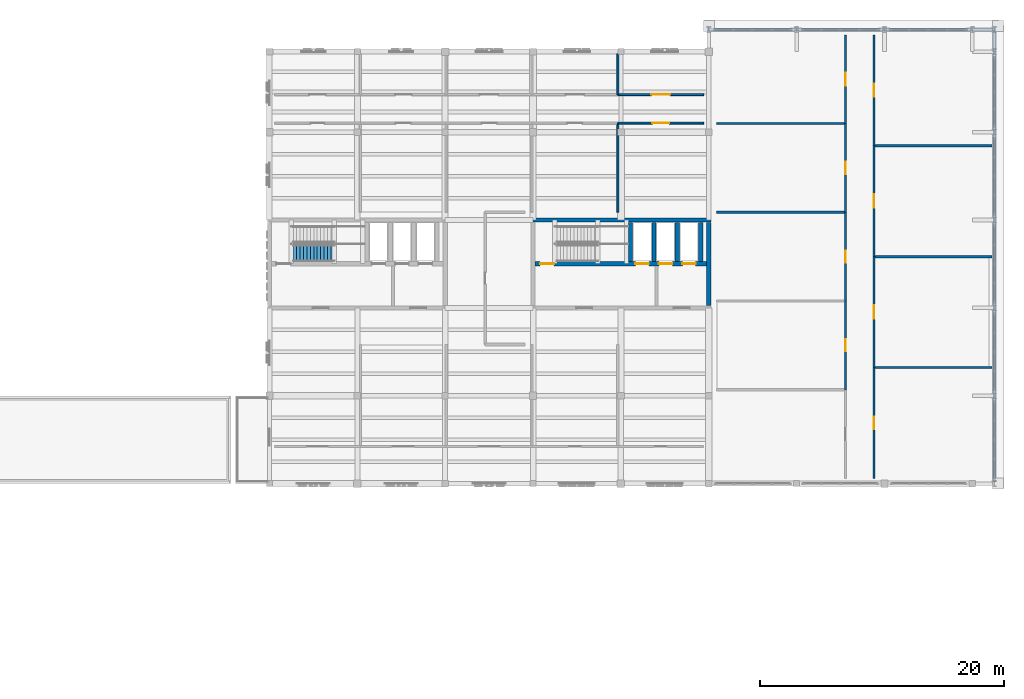
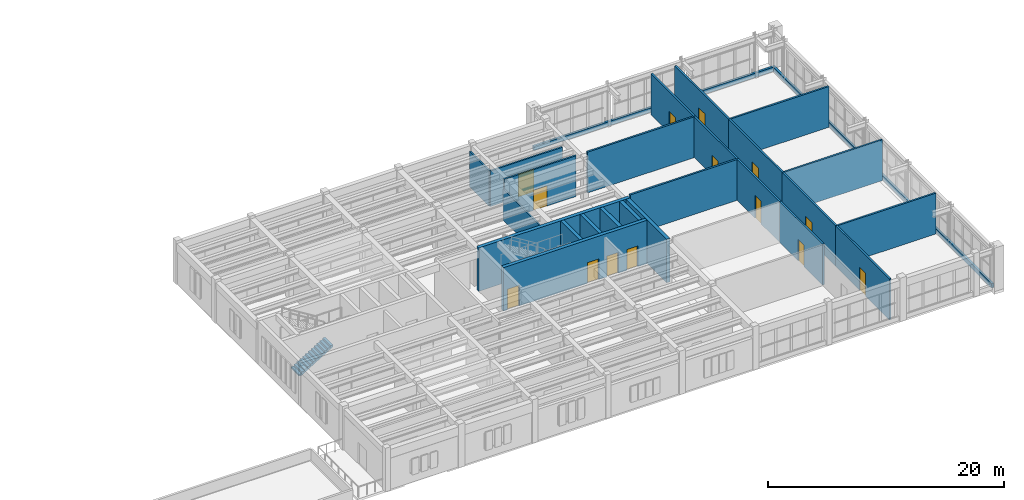
# One storey, part 14 of 18: 26 walls, 14 doors, 1 stair flight, 14 openings, 1 element without a shape of its own.
"""IFC4 building model written with IfcOpenShell, lengths in metres."""

from ifc_helpers import new_model, si_unit, direction, frame, frame_2d, origin, place, context, subcontext, project, spatial, polyline, rectangle, outline, extrude, material, layer, layer_set, type_object, element, fill, aggregate, save


model = new_model("IFC4")

# Units and contexts
model_context = context("Model", 3, precision=1e-05, world=origin(), true_north=direction((0.0, 1.0)))
body_context = subcontext(model_context, "Body", "Model", "MODEL_VIEW")
ifc_project = project(units=[si_unit("LENGTHUNIT", "METRE"), si_unit("AREAUNIT", "SQUARE_METRE"), si_unit("VOLUMEUNIT", "CUBIC_METRE"), si_unit("PLANEANGLEUNIT", "RADIAN"), si_unit("MASSUNIT", "GRAM", prefix="KILO")], contexts=[model_context])

# Site, building, storey
site_placement = place(None, origin())
site = spatial("IfcSite", under=ifc_project, at=site_placement, CompositionType="ELEMENT")
building_placement = place(site_placement, origin())
building = spatial("IfcBuilding", under=site, at=building_placement, Name="Mithqara Police Headquarters", CompositionType="ELEMENT")
storey_placement = place(building_placement, frame((0.0, 0.0, 26.39990234375)))
storey = spatial("IfcBuildingStorey", under=building, at=storey_placement, Name="L06", CompositionType="ELEMENT", Elevation=26.39990234375)

# Walls
ifc_material_1 = material(Name="Limestone ashlar masonry, 45 MPa", Category="masonry")
ifc_layer_1 = layer(ifc_material_1, 0.219970703125, Name="Limestone ashlar masonry, 45 MPa")
ifc_layer_set_1 = layer_set([ifc_layer_1], Name="Limestone ashlar masonry, 45 MPa")
wall_type_1 = type_object("IfcWallType", Name="PARAPET WALL 220", PredefinedType="PARAPET", material=ifc_layer_set_1)
wall_1_placement = place(storey_placement, frame((168.0, 78.75, 0.0), z_axis=(0.0, 0.0, 1.0), x_axis=(0.0, 1.0, 0.0)))
element("IfcWall", 1, at=wall_1_placement, inside=storey, type_object=wall_type_1, Name="L06 Command Cube Sill Curb 3", PredefinedType="PARAPET", context=body_context, shape_type="SweptSolid", body=[
    extrude(rectangle(XDim=36.89990234375, YDim=0.219970703125, at=frame_2d((18.449951171875, 0.0))), origin(), (0.0, 0.0, 1.0), 0.4501953125),
])
wall_2_placement = place(storey_placement, frame((168.14990234375, 115.800048828125, 0.0), z_axis=(0.0, 0.0, 1.0), x_axis=(-1.0, 0.0, 0.0)))
element("IfcWall", 2, at=wall_2_placement, inside=storey, type_object=wall_type_1, Name="L06 Command Cube Sill Curb 4", PredefinedType="PARAPET", context=body_context, shape_type="SweptSolid", body=[
    extrude(rectangle(XDim=23.699951171875, YDim=0.219970703125, at=frame_2d((11.85009765625, 0.0))), origin(), (0.0, 0.0, 1.0), 0.4501953125),
])
ifc_material_2 = material(Name="Gypsum acoustic stud partition", Category="gypsum")
ifc_layer_2 = layer(ifc_material_2, 0.159912109375, Name="Gypsum acoustic stud partition")
ifc_layer_set_2 = layer_set([ifc_layer_2], Name="Gypsum acoustic stud partition")
wall_type_2 = type_object("IfcWallType", Name="PART WALL 160", PredefinedType="PARTITIONING", material=ifc_layer_set_2)
wall_3_placement = place(storey_placement, frame((137.14794921875, 100.85009765625, 0.0), z_axis=(0.0, 0.0, 1.0), x_axis=(0.0, 1.0, 0.0)))
element("IfcWall", 3, at=wall_3_placement, inside=storey, type_object=wall_type_2, Name="L06 Room Partition Male Staff WC", PredefinedType="PARTITIONING", context=body_context, shape_type="SweptSolid", body=[
    extrude(rectangle(XDim=7.289794921875, YDim=0.159912109375, at=frame_2d((3.64501953125, 0.0))), origin(), (0.0, 0.0, 1.0), 3.22021484375),
])

# Wall, opening, door
wall_4_placement = place(storey_placement, frame((137.14794921875, 108.139892578125, 0.0), z_axis=(0.0, 0.0, 1.0), x_axis=(1.0, 0.0, 0.0)))
wall_4 = element("IfcWall", 4, at=wall_4_placement, inside=storey, type_object=wall_type_2, Name="L06 Corridor Wall Joint Intelligence Operations Room", PredefinedType="PARTITIONING", context=body_context, shape_type="SweptSolid", body=[
    extrude(rectangle(XDim=7.031982421875, YDim=0.159912109375, at=frame_2d((3.51611328125, 0.0))), origin(), (0.0, 0.0, 1.0), 4.22021484375),
])
opening_1_placement = place(wall_4_placement, frame((2.8359375, 0.0, 0.0)))
opening_1 = element("IfcOpeningElement", 5, at=opening_1_placement, cuts=wall_4, Name="Opening D-16", PredefinedType="OPENING", context=body_context, shape_type="SweptSolid", body=[
    extrude(rectangle(XDim=1.360107421875, YDim=2.10009765625, at=frame_2d((0.68017578125, 1.050048828125))), frame((0.0, 0.08984375, 0.0), z_axis=(0.0, -1.0, 0.0), x_axis=(1.0, 0.0, 0.0)), (0.0, 0.0, 1.0), 0.179931640625),
])
ifc_material_3 = material(Name="Bronze anodised aluminium 6063-T6", Category="aluminium")
door_type_1 = type_object("IfcDoorType", Name="INT DOOR 1360X2100", OperationType="NOTDEFINED", PredefinedType="DOOR", material=ifc_material_3)
door_1_placement = place(opening_1_placement, frame((1.360107421875, 0.0, 0.0), z_axis=(0.0, 0.0, 1.0), x_axis=(-1.0, 0.0, 0.0)))
door_1 = element("IfcDoor", 6, at=door_1_placement, inside=storey, type_object=door_type_1, Name="Joint Intelligence Operations Room Entry Door", OperationType="SINGLE_SWING_LEFT", OverallHeight=2.10009765625, OverallWidth=1.360107421875, PredefinedType="DOOR", context=body_context, shape_type="SweptSolid", body=[
    extrude(rectangle(XDim=1.360107421875, YDim=2.10009765625, at=frame_2d((0.68017578125, 1.050048828125))), frame((0.0, 0.02490234375, 0.0), z_axis=(0.0, -1.0, 0.0), x_axis=(1.0, 0.0, 0.0)), (0.0, 0.0, 1.0), 0.050048828125),
])
fill(opening_1, door_1)

# Wall
wall_5_placement = place(storey_placement, frame((137.14794921875, 110.47998046875, 0.0), z_axis=(0.0, 0.0, 1.0), x_axis=(0.0, 1.0, 0.0)))
element("IfcWall", 7, at=wall_5_placement, inside=storey, type_object=wall_type_2, Name="L06 Room Partition Shift Commander Briefing Room", PredefinedType="PARTITIONING", context=body_context, shape_type="SweptSolid", body=[
    extrude(rectangle(XDim=3.340087890625, YDim=0.159912109375, at=frame_2d((1.669921875, 0.0))), origin(), (0.0, 0.0, 1.0), 3.670166015625),
])

# Wall, opening, door
wall_6_placement = place(storey_placement, frame((137.14794921875, 110.47998046875, 0.0), z_axis=(0.0, 0.0, 1.0), x_axis=(1.0, 0.0, 0.0)))
wall_6 = element("IfcWall", 8, at=wall_6_placement, inside=storey, type_object=wall_type_2, Name="L06 Corridor Wall Joint Intelligence Operations Room", PredefinedType="PARTITIONING", context=body_context, shape_type="SweptSolid", body=[
    extrude(rectangle(XDim=7.031982421875, YDim=0.159912109375, at=frame_2d((3.51611328125, 0.0))), origin(), (0.0, 0.0, 1.0), 3.670166015625),
])
opening_2_placement = place(wall_6_placement, frame((2.756103515625, 0.0, 0.0)))
opening_2 = element("IfcOpeningElement", 9, at=opening_2_placement, cuts=wall_6, Name="Opening D-21", PredefinedType="OPENING", context=body_context, shape_type="SweptSolid", body=[
    extrude(rectangle(XDim=1.52001953125, YDim=2.35009765625, at=frame_2d((0.760009765625, 1.175048828125))), frame((0.0, 0.08984375, 0.0), z_axis=(0.0, -1.0, 0.0), x_axis=(1.0, 0.0, 0.0)), (0.0, 0.0, 1.0), 0.179931640625),
])
door_type_2 = type_object("IfcDoorType", Name="INT DOOR 1520X2350", OperationType="NOTDEFINED", PredefinedType="DOOR", material=ifc_material_3)
door_2_placement = place(opening_2_placement, origin())
door_2 = element("IfcDoor", 10, at=door_2_placement, inside=storey, type_object=door_type_2, Name="Joint Intelligence Operations Room Entry Door", OperationType="DOUBLE_DOOR_SINGLE_SWING", OverallHeight=2.35009765625, OverallWidth=1.52001953125, PredefinedType="DOOR", context=body_context, shape_type="SweptSolid", body=[
    extrude(rectangle(XDim=1.52001953125, YDim=2.35009765625, at=frame_2d((0.760009765625, 1.175048828125))), frame((0.0, 0.02490234375, 0.0), z_axis=(0.0, -1.0, 0.0), x_axis=(1.0, 0.0, 0.0)), (0.0, 0.0, 1.0), 0.050048828125),
])
fill(opening_2, door_2)

ifc_material_4 = material(Name="Concrete C40/50", Category="concrete")
ifc_layer_3 = layer(ifc_material_4, 0.179931640625, Name="Concrete C40/50")
ifc_layer_set_3 = layer_set([ifc_layer_3], Name="Concrete C40/50")
wall_type_3 = type_object("IfcWallType", Name="PART WALL 180", PredefinedType="PARTITIONING", material=ifc_layer_set_3)
wall_7_placement = place(storey_placement, frame((155.794921875, 86.2919921875, 0.0), z_axis=(0.0, 0.0, 1.0), x_axis=(0.0, 1.0, 0.0)))
wall_7 = element("IfcWall", 11, at=wall_7_placement, inside=storey, type_object=wall_type_3, Name="L06 Corridor Wall Emergency Dispatch Hall", PredefinedType="PARTITIONING", context=body_context, shape_type="SweptSolid", body=[
    extrude(rectangle(XDim=7.27197265625, YDim=0.179931640625, at=frame_2d((3.635986328125, 0.0))), origin(), (0.0, 0.0, 1.0), 4.22021484375),
])
opening_3_placement = place(wall_7_placement, frame((3.14599609375, 0.0, 0.0)))
opening_3 = element("IfcOpeningElement", 12, at=opening_3_placement, cuts=wall_7, Name="Opening D-05", PredefinedType="OPENING", context=body_context, shape_type="SweptSolid", body=[
    extrude(rectangle(XDim=0.97998046875, YDim=2.219970703125, at=frame_2d((0.489990234375, 1.10986328125))), frame((0.0, 0.10009765625, 0.0), z_axis=(0.0, -1.0, 0.0), x_axis=(1.0, 0.0, 0.0)), (0.0, 0.0, 1.0), 0.199951171875),
])
ifc_material_5 = material(Name="Acoustic solid-core timber leaf", Category="wood")
door_type_3 = type_object("IfcDoorType", Name="INT DOOR 980X2220", OperationType="NOTDEFINED", PredefinedType="DOOR", material=ifc_material_5)
door_3_placement = place(opening_3_placement, frame((0.97998046875, 0.0, 0.0), z_axis=(0.0, 0.0, 1.0), x_axis=(-1.0, 0.0, 0.0)))
door_3 = element("IfcDoor", 13, at=door_3_placement, inside=storey, type_object=door_type_3, Name="Emergency Dispatch Hall Entry Door", OperationType="SINGLE_SWING_RIGHT", OverallHeight=2.219970703125, OverallWidth=0.97998046875, PredefinedType="DOOR", context=body_context, shape_type="SweptSolid", body=[
    extrude(rectangle(XDim=0.97998046875, YDim=2.219970703125, at=frame_2d((0.489990234375, 1.10986328125))), frame((0.0, 0.02490234375, 0.0), z_axis=(0.0, -1.0, 0.0), x_axis=(1.0, 0.0, 0.0)), (0.0, 0.0, 1.0), 0.050048828125),
])
fill(opening_3, door_3)

wall_8_placement = place(storey_placement, frame((155.794921875, 93.56396484375, 0.0), z_axis=(0.0, 0.0, 1.0), x_axis=(0.0, 1.0, 0.0)))
wall_8 = element("IfcWall", 14, at=wall_8_placement, inside=storey, type_object=wall_type_3, Name="L06 Corridor Wall Supervisor Bridge Desk", PredefinedType="PARTITIONING", context=body_context, shape_type="SweptSolid", body=[
    extrude(rectangle(XDim=7.27197265625, YDim=0.179931640625, at=frame_2d((3.635986328125, 0.0))), origin(), (0.0, 0.0, 1.0), 4.22021484375),
])
opening_4_placement = place(wall_8_placement, frame((3.14599609375, 0.0, 0.0)))
opening_4 = element("IfcOpeningElement", 15, at=opening_4_placement, cuts=wall_8, Name="Opening D-06", PredefinedType="OPENING", context=body_context, shape_type="SweptSolid", body=[
    extrude(rectangle(XDim=0.97998046875, YDim=2.35009765625, at=frame_2d((0.489990234375, 1.175048828125))), frame((0.0, 0.10009765625, 0.0), z_axis=(0.0, -1.0, 0.0), x_axis=(1.0, 0.0, 0.0)), (0.0, 0.0, 1.0), 0.199951171875),
])
door_type_4 = type_object("IfcDoorType", Name="INT DOOR 980X2350", OperationType="NOTDEFINED", PredefinedType="DOOR", material=ifc_material_5)
door_4_placement = place(opening_4_placement, frame((0.97998046875, 0.0, 0.0), z_axis=(0.0, 0.0, 1.0), x_axis=(-1.0, 0.0, 0.0)))
door_4 = element("IfcDoor", 16, at=door_4_placement, inside=storey, type_object=door_type_4, Name="Supervisor Bridge Desk Entry Door", OperationType="SINGLE_SWING_LEFT", OverallHeight=2.35009765625, OverallWidth=0.97998046875, PredefinedType="DOOR", context=body_context, shape_type="SweptSolid", body=[
    extrude(rectangle(XDim=0.97998046875, YDim=2.35009765625, at=frame_2d((0.489990234375, 1.175048828125))), frame((0.0, 0.02490234375, 0.0), z_axis=(0.0, -1.0, 0.0), x_axis=(1.0, 0.0, 0.0)), (0.0, 0.0, 1.0), 0.050048828125),
])
fill(opening_4, door_4)

# Wall
wall_9_placement = place(storey_placement, frame((145.25, 100.8359375, 0.0), z_axis=(0.0, 0.0, 1.0), x_axis=(1.0, 0.0, 0.0)))
element("IfcWall", 17, at=wall_9_placement, inside=storey, type_object=wall_type_3, Name="L06 Room Partition Supervisor Bridge Desk", PredefinedType="PARTITIONING", context=body_context, shape_type="SweptSolid", body=[
    extrude(rectangle(XDim=10.544921875, YDim=0.179931640625, at=frame_2d((5.2724609375, 0.0))), origin(), (0.0, 0.0, 1.0), 4.22021484375),
])

# Wall, opening, door
wall_10_placement = place(storey_placement, frame((155.794921875, 100.8359375, 0.0), z_axis=(0.0, 0.0, 1.0), x_axis=(0.0, 1.0, 0.0)))
wall_10 = element("IfcWall", 18, at=wall_10_placement, inside=storey, type_object=wall_type_3, Name="L06 Corridor Wall Control Room", PredefinedType="PARTITIONING", context=body_context, shape_type="SweptSolid", body=[
    extrude(rectangle(XDim=7.27197265625, YDim=0.179931640625, at=frame_2d((3.635986328125, 0.0))), origin(), (0.0, 0.0, 1.0), 4.22021484375),
])
opening_5_placement = place(wall_10_placement, frame((3.115966796875, 0.0, 0.0)))
opening_5 = element("IfcOpeningElement", 19, at=opening_5_placement, cuts=wall_10, Name="Opening D-07", PredefinedType="OPENING", context=body_context, shape_type="SweptSolid", body=[
    extrude(rectangle(XDim=1.0400390625, YDim=2.10009765625, at=frame_2d((0.52001953125, 1.050048828125))), frame((0.0, 0.10009765625, 0.0), z_axis=(0.0, -1.0, 0.0), x_axis=(1.0, 0.0, 0.0)), (0.0, 0.0, 1.0), 0.199951171875),
])
door_type_5 = type_object("IfcDoorType", Name="INT DOOR 1040X2100", OperationType="NOTDEFINED", PredefinedType="DOOR", material=ifc_material_5)
door_5_placement = place(opening_5_placement, frame((1.0400390625, 0.0, 0.0), z_axis=(0.0, 0.0, 1.0), x_axis=(-1.0, 0.0, 0.0)))
door_5 = element("IfcDoor", 20, at=door_5_placement, inside=storey, type_object=door_type_5, Name="Control Room Entry Door", OperationType="SINGLE_SWING_RIGHT", OverallHeight=2.10009765625, OverallWidth=1.0400390625, PredefinedType="DOOR", context=body_context, shape_type="SweptSolid", body=[
    extrude(rectangle(XDim=1.0400390625, YDim=2.10009765625, at=frame_2d((0.52001953125, 1.050048828125))), frame((0.0, 0.02490234375, 0.0), z_axis=(0.0, -1.0, 0.0), x_axis=(1.0, 0.0, 0.0)), (0.0, 0.0, 1.0), 0.050048828125),
])
fill(opening_5, door_5)

# Wall
wall_11_placement = place(storey_placement, frame((145.25, 108.10791015625, 0.0), z_axis=(0.0, 0.0, 1.0), x_axis=(1.0, 0.0, 0.0)))
element("IfcWall", 21, at=wall_11_placement, inside=storey, type_object=wall_type_3, Name="L06 Room Partition Control Room", PredefinedType="PARTITIONING", context=body_context, shape_type="SweptSolid", body=[
    extrude(rectangle(XDim=10.544921875, YDim=0.179931640625, at=frame_2d((5.2724609375, 0.0))), origin(), (0.0, 0.0, 1.0), 4.22021484375),
])

# Wall, opening, door
wall_12_placement = place(storey_placement, frame((155.794921875, 108.10791015625, 0.0), z_axis=(0.0, 0.0, 1.0), x_axis=(0.0, 1.0, 0.0)))
wall_12 = element("IfcWall", 22, at=wall_12_placement, inside=storey, type_object=wall_type_3, Name="L06 Corridor Wall Emergency Dispatch Hall", PredefinedType="PARTITIONING", context=body_context, shape_type="SweptSolid", body=[
    extrude(rectangle(XDim=7.27197265625, YDim=0.179931640625, at=frame_2d((3.635986328125, 0.0))), origin(), (0.0, 0.0, 1.0), 4.22021484375),
])
opening_6_placement = place(wall_12_placement, frame((3.115966796875, 0.0, 0.0)))
opening_6 = element("IfcOpeningElement", 23, at=opening_6_placement, cuts=wall_12, Name="Opening D-08", PredefinedType="OPENING", context=body_context, shape_type="SweptSolid", body=[
    extrude(rectangle(XDim=1.0400390625, YDim=2.219970703125, at=frame_2d((0.52001953125, 1.10986328125))), frame((0.0, 0.10009765625, 0.0), z_axis=(0.0, -1.0, 0.0), x_axis=(1.0, 0.0, 0.0)), (0.0, 0.0, 1.0), 0.199951171875),
])
door_type_6 = type_object("IfcDoorType", Name="INT DOOR 1040X2220", OperationType="NOTDEFINED", PredefinedType="DOOR", material=ifc_material_5)
door_6_placement = place(opening_6_placement, frame((1.0400390625, 0.0, 0.0), z_axis=(0.0, 0.0, 1.0), x_axis=(-1.0, 0.0, 0.0)))
door_6 = element("IfcDoor", 24, at=door_6_placement, inside=storey, type_object=door_type_6, Name="Emergency Dispatch Hall Entry Door", OperationType="SINGLE_SWING_LEFT", OverallHeight=2.219970703125, OverallWidth=1.0400390625, PredefinedType="DOOR", context=body_context, shape_type="SweptSolid", body=[
    extrude(rectangle(XDim=1.0400390625, YDim=2.219970703125, at=frame_2d((0.52001953125, 1.10986328125))), frame((0.0, 0.02490234375, 0.0), z_axis=(0.0, -1.0, 0.0), x_axis=(1.0, 0.0, 0.0)), (0.0, 0.0, 1.0), 0.050048828125),
])
fill(opening_6, door_6)

wall_13_placement = place(storey_placement, frame((158.135009765625, 79.02001953125, 0.0), z_axis=(0.0, 0.0, 1.0), x_axis=(0.0, 1.0, 0.0)))
wall_13 = element("IfcWall", 25, at=wall_13_placement, inside=storey, type_object=wall_type_3, Name="L06 Corridor Wall Supervisor Bridge Desk", PredefinedType="PARTITIONING", context=body_context, shape_type="SweptSolid", body=[
    extrude(rectangle(XDim=9.090087890625, YDim=0.179931640625, at=frame_2d((4.544921875, 0.0))), origin(), (0.0, 0.0, 1.0), 4.22021484375),
])
opening_7_placement = place(wall_13_placement, frame((4.02490234375, 0.0, 0.0)))
opening_7 = element("IfcOpeningElement", 26, at=opening_7_placement, cuts=wall_13, Name="Opening D-09", PredefinedType="OPENING", context=body_context, shape_type="SweptSolid", body=[
    extrude(rectangle(XDim=1.0400390625, YDim=2.35009765625, at=frame_2d((0.52001953125, 1.175048828125))), frame((0.0, 0.10009765625, 0.0), z_axis=(0.0, -1.0, 0.0), x_axis=(1.0, 0.0, 0.0)), (0.0, 0.0, 1.0), 0.199951171875),
])
door_type_7 = type_object("IfcDoorType", Name="INT DOOR 1040X2350", OperationType="NOTDEFINED", PredefinedType="DOOR", material=ifc_material_5)
door_7_placement = place(opening_7_placement, origin())
door_7 = element("IfcDoor", 27, at=door_7_placement, inside=storey, type_object=door_type_7, Name="Supervisor Bridge Desk Entry Door", OperationType="SINGLE_SWING_RIGHT", OverallHeight=2.35009765625, OverallWidth=1.0400390625, PredefinedType="DOOR", context=body_context, shape_type="SweptSolid", body=[
    extrude(rectangle(XDim=1.0400390625, YDim=2.35009765625, at=frame_2d((0.52001953125, 1.175048828125))), frame((0.0, 0.02490234375, 0.0), z_axis=(0.0, -1.0, 0.0), x_axis=(1.0, 0.0, 0.0)), (0.0, 0.0, 1.0), 0.050048828125),
])
fill(opening_7, door_7)

# Wall
wall_14_placement = place(storey_placement, frame((158.135009765625, 88.110107421875, 0.0), z_axis=(0.0, 0.0, 1.0), x_axis=(1.0, 0.0, 0.0)))
element("IfcWall", 28, at=wall_14_placement, inside=storey, type_object=wall_type_3, Name="L06 Room Partition Supervisor Bridge Desk", PredefinedType="PARTITIONING", context=body_context, shape_type="SweptSolid", body=[
    extrude(rectangle(XDim=9.68505859375, YDim=0.179931640625, at=frame_2d((4.842529296875, 0.0))), origin(), (0.0, 0.0, 1.0), 4.22021484375),
])

# Wall, opening, door
wall_15_placement = place(storey_placement, frame((158.135009765625, 88.110107421875, 0.0), z_axis=(0.0, 0.0, 1.0), x_axis=(0.0, 1.0, 0.0)))
wall_15 = element("IfcWall", 29, at=wall_15_placement, inside=storey, type_object=wall_type_3, Name="L06 Corridor Wall Control Room", PredefinedType="PARTITIONING", context=body_context, shape_type="SweptSolid", body=[
    extrude(rectangle(XDim=9.08984375, YDim=0.179931640625, at=frame_2d((4.544921875, 0.0))), origin(), (0.0, 0.0, 1.0), 4.22021484375),
])
opening_8_placement = place(wall_15_placement, frame((3.9951171875, 0.0, 0.0)))
opening_8 = element("IfcOpeningElement", 30, at=opening_8_placement, cuts=wall_15, Name="Opening D-10", PredefinedType="OPENING", context=body_context, shape_type="SweptSolid", body=[
    extrude(rectangle(XDim=1.10009765625, YDim=2.10009765625, at=frame_2d((0.550048828125, 1.050048828125))), frame((0.0, 0.10009765625, 0.0), z_axis=(0.0, -1.0, 0.0), x_axis=(1.0, 0.0, 0.0)), (0.0, 0.0, 1.0), 0.199951171875),
])
door_type_8 = type_object("IfcDoorType", Name="INT DOOR 1100X2100", OperationType="NOTDEFINED", PredefinedType="DOOR", material=ifc_material_5)
door_8_placement = place(opening_8_placement, origin())
door_8 = element("IfcDoor", 31, at=door_8_placement, inside=storey, type_object=door_type_8, Name="Control Room Entry Door", OperationType="SINGLE_SWING_LEFT", OverallHeight=2.10009765625, OverallWidth=1.10009765625, PredefinedType="DOOR", context=body_context, shape_type="SweptSolid", body=[
    extrude(rectangle(XDim=1.10009765625, YDim=2.10009765625, at=frame_2d((0.550048828125, 1.050048828125))), frame((0.0, 0.02490234375, 0.0), z_axis=(0.0, -1.0, 0.0), x_axis=(1.0, 0.0, 0.0)), (0.0, 0.0, 1.0), 0.050048828125),
])
fill(opening_8, door_8)

# Wall
wall_16_placement = place(storey_placement, frame((158.135009765625, 97.199951171875, 0.0), z_axis=(0.0, 0.0, 1.0), x_axis=(1.0, 0.0, 0.0)))
element("IfcWall", 32, at=wall_16_placement, inside=storey, type_object=wall_type_3, Name="L06 Room Partition Control Room", PredefinedType="PARTITIONING", context=body_context, shape_type="SweptSolid", body=[
    extrude(rectangle(XDim=9.68505859375, YDim=0.179931640625, at=frame_2d((4.842529296875, 0.0))), origin(), (0.0, 0.0, 1.0), 4.22021484375),
])

# Wall, opening, door
wall_17_placement = place(storey_placement, frame((158.135009765625, 97.199951171875, 0.0), z_axis=(0.0, 0.0, 1.0), x_axis=(0.0, 1.0, 0.0)))
wall_17 = element("IfcWall", 33, at=wall_17_placement, inside=storey, type_object=wall_type_3, Name="L06 Corridor Wall Emergency Dispatch Hall", PredefinedType="PARTITIONING", context=body_context, shape_type="SweptSolid", body=[
    extrude(rectangle(XDim=9.090087890625, YDim=0.179931640625, at=frame_2d((4.544921875, 0.0))), origin(), (0.0, 0.0, 1.0), 4.22021484375),
])
opening_9_placement = place(wall_17_placement, frame((3.9951171875, 0.0, 0.0)))
opening_9 = element("IfcOpeningElement", 34, at=opening_9_placement, cuts=wall_17, Name="Opening D-11", PredefinedType="OPENING", context=body_context, shape_type="SweptSolid", body=[
    extrude(rectangle(XDim=1.10009765625, YDim=2.219970703125, at=frame_2d((0.550048828125, 1.10986328125))), frame((0.0, 0.10009765625, 0.0), z_axis=(0.0, -1.0, 0.0), x_axis=(1.0, 0.0, 0.0)), (0.0, 0.0, 1.0), 0.199951171875),
])
door_type_9 = type_object("IfcDoorType", Name="INT DOOR 1100X2220", OperationType="NOTDEFINED", PredefinedType="DOOR", material=ifc_material_5)
door_9_placement = place(opening_9_placement, origin())
door_9 = element("IfcDoor", 35, at=door_9_placement, inside=storey, type_object=door_type_9, Name="Emergency Dispatch Hall Entry Door", OperationType="SINGLE_SWING_RIGHT", OverallHeight=2.219970703125, OverallWidth=1.10009765625, PredefinedType="DOOR", context=body_context, shape_type="SweptSolid", body=[
    extrude(rectangle(XDim=1.10009765625, YDim=2.219970703125, at=frame_2d((0.550048828125, 1.10986328125))), frame((0.0, 0.02490234375, 0.0), z_axis=(0.0, -1.0, 0.0), x_axis=(1.0, 0.0, 0.0)), (0.0, 0.0, 1.0), 0.050048828125),
])
fill(opening_9, door_9)

# Wall
wall_18_placement = place(storey_placement, frame((158.135009765625, 106.2900390625, 0.0), z_axis=(0.0, 0.0, 1.0), x_axis=(1.0, 0.0, 0.0)))
element("IfcWall", 36, at=wall_18_placement, inside=storey, type_object=wall_type_3, Name="L06 Room Partition Emergency Dispatch Hall", PredefinedType="PARTITIONING", context=body_context, shape_type="SweptSolid", body=[
    extrude(rectangle(XDim=9.68505859375, YDim=0.179931640625, at=frame_2d((4.842529296875, 0.0))), origin(), (0.0, 0.0, 1.0), 4.22021484375),
])

# Wall, opening, door
wall_19_placement = place(storey_placement, frame((158.135009765625, 106.2900390625, 0.0), z_axis=(0.0, 0.0, 1.0), x_axis=(0.0, 1.0, 0.0)))
wall_19 = element("IfcWall", 37, at=wall_19_placement, inside=storey, type_object=wall_type_3, Name="L06 Corridor Wall Supervisor Bridge Desk", PredefinedType="PARTITIONING", context=body_context, shape_type="SweptSolid", body=[
    extrude(rectangle(XDim=9.08984375, YDim=0.179931640625, at=frame_2d((4.544921875, 0.0))), origin(), (0.0, 0.0, 1.0), 4.22021484375),
])
opening_10_placement = place(wall_19_placement, frame((3.9951171875, 0.0, 0.0)))
opening_10 = element("IfcOpeningElement", 38, at=opening_10_placement, cuts=wall_19, Name="Opening D-12", PredefinedType="OPENING", context=body_context, shape_type="SweptSolid", body=[
    extrude(rectangle(XDim=1.10009765625, YDim=2.35009765625, at=frame_2d((0.550048828125, 1.175048828125))), frame((0.0, 0.10009765625, 0.0), z_axis=(0.0, -1.0, 0.0), x_axis=(1.0, 0.0, 0.0)), (0.0, 0.0, 1.0), 0.199951171875),
])
door_type_10 = type_object("IfcDoorType", Name="INT DOOR 1100X2350", OperationType="NOTDEFINED", PredefinedType="DOOR", material=ifc_material_5)
door_10_placement = place(opening_10_placement, origin())
door_10 = element("IfcDoor", 39, at=door_10_placement, inside=storey, type_object=door_type_10, Name="Supervisor Bridge Desk Entry Door", OperationType="SINGLE_SWING_LEFT", OverallHeight=2.35009765625, OverallWidth=1.10009765625, PredefinedType="DOOR", context=body_context, shape_type="SweptSolid", body=[
    extrude(rectangle(XDim=1.10009765625, YDim=2.35009765625, at=frame_2d((0.550048828125, 1.175048828125))), frame((0.0, 0.02490234375, 0.0), z_axis=(0.0, -1.0, 0.0), x_axis=(1.0, 0.0, 0.0)), (0.0, 0.0, 1.0), 0.050048828125),
])
fill(opening_10, door_10)

# Walls
ifc_material_6 = material(Name="Concrete C50/60", Category="concrete")
ifc_layer_4 = layer(ifc_material_6, 0.340087890625, Name="Concrete C50/60")
ifc_layer_set_4 = layer_set([ifc_layer_4], Name="Concrete C50/60")
wall_type_4 = type_object("IfcWallType", Name="SHEAR WALL 340", PredefinedType="SHEAR", material=ifc_layer_set_4)
wall_20_placement = place(storey_placement, frame((130.030029296875, 100.199951171875, 0.0), z_axis=(0.0, 0.0, 1.0), x_axis=(1.0, 0.0, 0.0)))
element("IfcWall", 40, at=wall_20_placement, inside=storey, type_object=wall_type_4, Name="Core C2 Command East Shear Wall N", PredefinedType="SHEAR", context=body_context, shape_type="SweptSolid", body=[
    extrude(rectangle(XDim=14.739990234375, YDim=0.340087890625, at=frame_2d((7.3701171875, 0.0))), origin(), (0.0, 0.0, 1.0), 4.5),
])
wall_21_placement = place(storey_placement, frame((144.60009765625, 93.179931640625, 0.0), z_axis=(0.0, 0.0, 1.0), x_axis=(0.0, 1.0, 0.0)))
element("IfcWall", 41, at=wall_21_placement, inside=storey, type_object=wall_type_4, Name="Core C2 Command East Shear Wall E", PredefinedType="SHEAR", context=body_context, shape_type="SweptSolid", body=[
    extrude(rectangle(XDim=6.840087890625, YDim=0.340087890625, at=frame_2d((3.419921875, 0.0))), origin(), (0.0, 0.0, 1.0), 4.5),
])

# Wall, openings, doors
wall_22_placement = place(storey_placement, frame((130.3798828125, 96.6201171875, 0.0), z_axis=(0.0, 0.0, 1.0), x_axis=(1.0, 0.0, 0.0)))
wall_22 = element("IfcWall", 42, at=wall_22_placement, inside=storey, type_object=wall_type_4, Name="Core C2 Command East Shear Wall M", PredefinedType="SHEAR", context=body_context, shape_type="SweptSolid", body=[
    extrude(rectangle(XDim=14.0400390625, YDim=0.340087890625, at=frame_2d((7.02001953125, 0.0))), origin(), (0.0, 0.0, 1.0), 4.5),
])
opening_11_placement = place(wall_22_placement, frame((8.2099609375, 0.0, 0.0)))
opening_11 = element("IfcOpeningElement", 43, at=opening_11_placement, cuts=wall_22, Name="Opening LD-01", PredefinedType="OPENING", context=body_context, shape_type="SweptSolid", body=[
    extrude(rectangle(XDim=1.10009765625, YDim=2.14990234375, at=frame_2d((0.550048828125, 1.074951171875))), frame((0.0, 0.18017578125, 0.0), z_axis=(0.0, -1.0, 0.0), x_axis=(1.0, 0.0, 0.0)), (0.0, 0.0, 1.0), 0.360107421875),
])
opening_12_placement = place(wall_22_placement, frame((10.1298828125, 0.0, 0.0)))
opening_12 = element("IfcOpeningElement", 44, at=opening_12_placement, cuts=wall_22, Name="Opening LD-01", PredefinedType="OPENING", context=body_context, shape_type="SweptSolid", body=[
    extrude(rectangle(XDim=1.10009765625, YDim=2.14990234375, at=frame_2d((0.550048828125, 1.074951171875))), frame((0.0, 0.18017578125, 0.0), z_axis=(0.0, -1.0, 0.0), x_axis=(1.0, 0.0, 0.0)), (0.0, 0.0, 1.0), 0.360107421875),
])
opening_13_placement = place(wall_22_placement, frame((12.050048828125, 0.0, 0.0)))
opening_13 = element("IfcOpeningElement", 45, at=opening_13_placement, cuts=wall_22, Name="Opening LD-01", PredefinedType="OPENING", context=body_context, shape_type="SweptSolid", body=[
    extrude(rectangle(XDim=1.10009765625, YDim=2.14990234375, at=frame_2d((0.550048828125, 1.074951171875))), frame((0.0, 0.18017578125, 0.0), z_axis=(0.0, -1.0, 0.0), x_axis=(1.0, 0.0, 0.0)), (0.0, 0.0, 1.0), 0.360107421875),
])
opening_14_placement = place(wall_22_placement, frame((0.39501953125, 0.0, 0.0)))
opening_14 = element("IfcOpeningElement", 46, at=opening_14_placement, cuts=wall_22, Name="Opening FD-01", PredefinedType="OPENING", context=body_context, shape_type="SweptSolid", body=[
    extrude(rectangle(XDim=1.14990234375, YDim=2.14990234375, at=frame_2d((0.574951171875, 1.074951171875))), frame((0.0, 0.18017578125, 0.0), z_axis=(0.0, -1.0, 0.0), x_axis=(1.0, 0.0, 0.0)), (0.0, 0.0, 1.0), 0.360107421875),
])
ifc_material_7 = material(Name="Steel S355JR", Category="steel")
door_type_11 = type_object("IfcDoorType", Name="CORE DOOR STAIR 1150X2150", OperationType="NOTDEFINED", PredefinedType="DOOR", material=ifc_material_7)
door_11_placement = place(opening_14_placement, origin())
door_11 = element("IfcDoor", 47, at=door_11_placement, inside=storey, type_object=door_type_11, Name="Stair ST-02 Fire Door L06", OperationType="SINGLE_SWING_RIGHT", OverallHeight=2.14990234375, OverallWidth=1.14990234375, PredefinedType="DOOR", context=body_context, shape_type="SweptSolid", body=[
    extrude(rectangle(XDim=1.14990234375, YDim=2.14990234375, at=frame_2d((0.574951171875, 1.074951171875))), frame((0.0, 0.02490234375, 0.0), z_axis=(0.0, -1.0, 0.0), x_axis=(1.0, 0.0, 0.0)), (0.0, 0.0, 1.0), 0.050048828125),
])
fill(opening_14, door_11)
door_type_12 = type_object("IfcDoorType", Name="LIFT DOOR 1100X2150", OperationType="DOUBLE_DOOR_SLIDING", PredefinedType="DOOR", material=ifc_material_7)
door_12_placement = place(opening_11_placement, frame((1.10009765625, 0.0, 0.0), z_axis=(0.0, 0.0, 1.0), x_axis=(-1.0, 0.0, 0.0)))
door_12 = element("IfcDoor", 48, at=door_12_placement, inside=storey, type_object=door_type_12, Name="Lift Landing Door FL-02-L06", OperationType="DOUBLE_DOOR_SLIDING", OverallHeight=2.14990234375, OverallWidth=1.10009765625, PredefinedType="DOOR", context=body_context, shape_type="SweptSolid", body=[
    extrude(rectangle(XDim=1.10009765625, YDim=2.14990234375, at=frame_2d((0.550048828125, 1.074951171875))), frame((0.0, 0.02490234375, 0.0), z_axis=(0.0, -1.0, 0.0), x_axis=(1.0, 0.0, 0.0)), (0.0, 0.0, 1.0), 0.050048828125),
])
fill(opening_11, door_12)
door_13_placement = place(opening_12_placement, frame((1.10009765625, 0.0, 0.0), z_axis=(0.0, 0.0, 1.0), x_axis=(-1.0, 0.0, 0.0)))
door_13 = element("IfcDoor", 49, at=door_13_placement, inside=storey, type_object=door_type_12, Name="Lift Landing Door LP-03-L06", OperationType="DOUBLE_DOOR_SLIDING", OverallHeight=2.14990234375, OverallWidth=1.10009765625, PredefinedType="DOOR", context=body_context, shape_type="SweptSolid", body=[
    extrude(rectangle(XDim=1.10009765625, YDim=2.14990234375, at=frame_2d((0.550048828125, 1.074951171875))), frame((0.0, 0.02490234375, 0.0), z_axis=(0.0, -1.0, 0.0), x_axis=(1.0, 0.0, 0.0)), (0.0, 0.0, 1.0), 0.050048828125),
])
fill(opening_12, door_13)
door_14_placement = place(opening_13_placement, frame((1.10009765625, 0.0, 0.0), z_axis=(0.0, 0.0, 1.0), x_axis=(-1.0, 0.0, 0.0)))
door_14 = element("IfcDoor", 50, at=door_14_placement, inside=storey, type_object=door_type_12, Name="Lift Landing Door LP-04-L06", OperationType="DOUBLE_DOOR_SLIDING", OverallHeight=2.14990234375, OverallWidth=1.10009765625, PredefinedType="DOOR", context=body_context, shape_type="SweptSolid", body=[
    extrude(rectangle(XDim=1.10009765625, YDim=2.14990234375, at=frame_2d((0.550048828125, 1.074951171875))), frame((0.0, 0.02490234375, 0.0), z_axis=(0.0, -1.0, 0.0), x_axis=(1.0, 0.0, 0.0)), (0.0, 0.0, 1.0), 0.050048828125),
])
fill(opening_13, door_14)

# Walls
for number, where, z_axis, x_axis, name in (
    (51, (138.179931640625, 96.800048828125, 0.0), (0.0, 0.0, 1.0), (0.0, 1.0, 0.0), "Core C2 Command East Shear Wall X"),
    (52, (140.10009765625, 96.800048828125, 0.0), (0.0, 0.0, 1.0), (0.0, 1.0, 0.0), "Core C2 Command East Shear Wall L1"),
    (53, (142.02001953125, 96.800048828125, 0.0), (0.0, 0.0, 1.0), (0.0, 1.0, 0.0), "Core C2 Command East Shear Wall L2"),
    (54, (143.93994140625, 96.800048828125, 0.0), (0.0, 0.0, 1.0), (0.0, 1.0, 0.0), "Core C2 Command East Shear Wall L3"),
):
    element("IfcWall", number, at=place(storey_placement, frame(where, z_axis=z_axis, x_axis=x_axis)), inside=storey, type_object=wall_type_4, Name=name, PredefinedType="SHEAR", context=body_context, shape_type="SweptSolid", body=[
        extrude(rectangle(XDim=3.219970703125, YDim=0.340087890625, at=frame_2d((1.60986328125, 0.0))), origin(), (0.0, 0.0, 1.0), 4.5),
    ])

# Stair, stair flight
stair_type = type_object("IfcStairType", Name="STAIR ST 01-R26", PredefinedType="HALF_TURN_STAIR", material=ifc_material_4)
stair_placement = place(storey_placement, origin())
stair = element("IfcStair", 55, at=stair_placement, inside=storey, type_object=stair_type, Name="L06 Core C1 Command West Exit Stair", PredefinedType="HALF_TURN_STAIR")
stair_flight_type = type_object("IfcStairFlightType", Name="STAIR FLIGHT ST 01 F R13", PredefinedType="STRAIGHT", material=ifc_material_4)
stair_flight_placement = place(storey_placement, frame((110.550048828125, 97.47509765625, 0.0), z_axis=(0.0, 0.0, 1.0), x_axis=(1.0, 0.0, 0.0)))
stair_flight = element("IfcStairFlight", 56, at=stair_flight_placement, type_object=stair_flight_type, Name="ST-01 flight 1", NumberOfRisers=13, NumberOfTreads=12, PredefinedType="STRAIGHT", RiserHeight=0.173076923, TreadLength=0.28, context=body_context, shape_type="SweptSolid", body=[
    extrude(outline(polyline([(0.0, 0.0), (0.0, 0.173095703125), (0.280029296875, 0.173095703125), (0.280029296875, 0.34619140625), (0.56005859375, 0.34619140625), (0.56005859375, 0.519287109375), (0.840087890625, 0.519287109375), (0.840087890625, 0.6923828125), (1.1201171875, 0.6923828125), (1.1201171875, 0.865478515625), (1.39990234375, 0.865478515625), (1.39990234375, 1.03857421875), (1.679931640625, 1.03857421875), (1.679931640625, 1.21142578125), (1.9599609375, 1.21142578125), (1.9599609375, 1.384521484375), (2.239990234375, 1.384521484375), (2.239990234375, 1.5576171875), (2.52001953125, 1.5576171875), (2.52001953125, 1.730712890625), (2.800048828125, 1.730712890625), (2.800048828125, 1.90380859375), (3.080078125, 1.90380859375), (3.080078125, 2.076904296875), (3.360107421875, 2.076904296875), (3.360107421875, 2.25), (3.360107421875, 1.900634765625), (0.28515625, 0.0), (0.0, 0.0)])), frame((0.0, 0.675048828125, 0.0), z_axis=(0.0, -1.0, 0.0), x_axis=(1.0, 0.0, 0.0)), (0.0, 0.0, 1.0), 1.35009765625),
])
aggregate(stair, [stair_flight])

save(model, "model.ifc")
